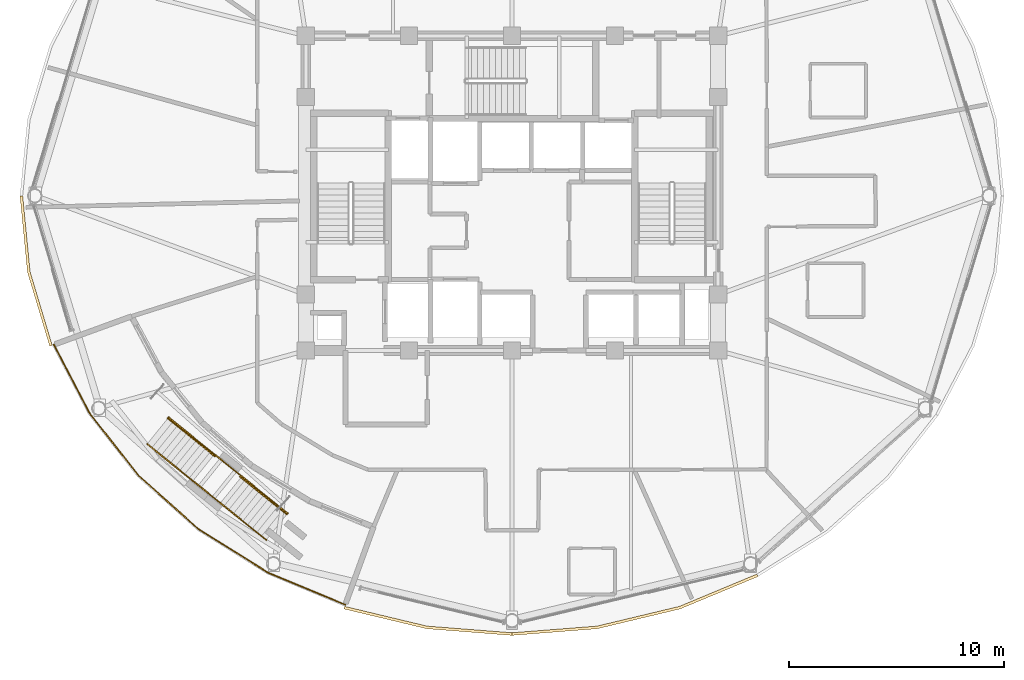
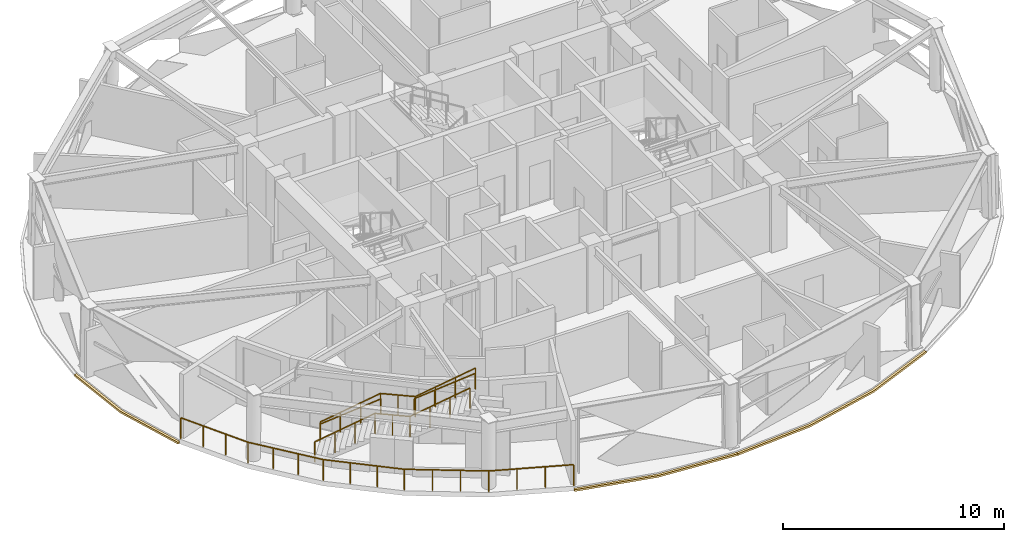
# One storey, part 14 of 17: 5 railings, 3 coverings.
"""IFC4 building model written with IfcOpenShell, lengths in metres."""

from ifc_helpers import new_model, si_unit, direction, frame, origin, origin_2d, place, context, subcontext, project, spatial, polyline, rectangle, outline, extrude, material, layer, layer_set, type_object, element, save


model = new_model("IFC4")

# Units and contexts
model_context = context("Model", 3, precision=1e-05, world=origin(), true_north=direction((0.0, 1.0)))
body_context = subcontext(model_context, "Body", "Model", "MODEL_VIEW")
ifc_project = project(units=[si_unit("LENGTHUNIT", "METRE"), si_unit("AREAUNIT", "SQUARE_METRE"), si_unit("VOLUMEUNIT", "CUBIC_METRE"), si_unit("PLANEANGLEUNIT", "RADIAN"), si_unit("MASSUNIT", "GRAM", prefix="KILO")], contexts=[model_context])

# Site, building, storey
site_placement = place(None, origin())
site = spatial("IfcSite", under=ifc_project, at=site_placement, CompositionType="ELEMENT")
building_placement = place(site_placement, origin())
building = spatial("IfcBuilding", under=site, at=building_placement, Name="Vantalir Tower", CompositionType="ELEMENT")
storey_placement = place(building_placement, frame((0.0, 0.0, 208.64990234375)))
storey = spatial("IfcBuildingStorey", under=building, at=storey_placement, Name="L52", CompositionType="ELEMENT", Elevation=208.64990234375)

# Coverings
ifc_material_1 = material(Name="Anodised champagne aluminium sill fascia", Category="aluminium")
ifc_layer = layer(ifc_material_1, 0.125)
ifc_layer_set = layer_set([ifc_layer], Name="Anodised champagne aluminium sill fascia")
covering_type = type_object("IfcCoveringType", Name="COV-SLAB-FASCIA-125", PredefinedType="CLADDING", material=ifc_layer_set)
covering_1_placement = place(storey_placement, frame((0.0, 0.0, -0.179931640625)))
element("IfcCovering", 1, at=covering_1_placement, inside=storey, type_object=covering_type, Name="L52 Perimeter Slab-Edge Sill Fascia 07", PredefinedType="CLADDING", context=body_context, shape_type="SweptSolid", body=[
    extrude(outline(polyline([(8.591064453125, 25.0), (8.93896484375, 21.446044921875), (9.972900390625, 18.0), (10.090087890625, 18.0419921875), (9.06201171875, 21.467041015625), (8.716064453125, 25.0), (8.591064453125, 25.0)])), origin(), (0.0, 0.0, 1.0), 0.10498046875),
])
covering_2_placement = place(storey_placement, frame((0.0, 0.0, -0.179931640625)))
element("IfcCovering", 2, at=covering_2_placement, inside=storey, type_object=covering_type, Name="L52 Perimeter Slab-Edge Sill Fascia 09", PredefinedType="CLADDING", context=body_context, shape_type="SweptSolid", body=[
    extrude(outline(polyline([(23.6650390625, 5.76611328125), (27.52197265625, 4.843017578125), (31.5, 4.531982421875), (31.5, 4.656982421875), (27.5439453125, 4.966064453125), (23.70703125, 5.884033203125), (23.6650390625, 5.76611328125)])), origin(), (0.0, 0.0, 1.0), 0.10498046875),
])
covering_3_placement = place(storey_placement, frame((0.0, 0.0, -0.179931640625)))
element("IfcCovering", 3, at=covering_3_placement, inside=storey, type_object=covering_type, Name="L52 Perimeter Slab-Edge Sill Fascia 10", PredefinedType="CLADDING", context=body_context, shape_type="SweptSolid", body=[
    extrude(outline(polyline([(31.5, 4.531982421875), (35.47802734375, 4.843017578125), (39.3349609375, 5.76611328125), (42.955078125, 7.27392578125), (42.89208984375, 7.382080078125), (39.29296875, 5.884033203125), (35.4560546875, 4.966064453125), (31.5, 4.656982421875), (31.5, 4.531982421875)])), origin(), (0.0, 0.0, 1.0), 0.10498046875),
])

# Railings
ifc_material_2 = material(Name="Laminated safety glass and champagne-silver balustrade", Category="glass")
railing_type_1 = type_object("IfcRailingType", Name="RAL-BALUSTRADE-1200", PredefinedType="BALUSTRADE", material=ifc_material_2)
railing_1_placement = place(storey_placement, frame((10.1650390625, 18.070068359375, 0.0)))
element("IfcRailing", 4, at=railing_1_placement, inside=storey, type_object=railing_type_1, Name="L52 SG3 Sky-Garden Perimeter Balustrade", PredefinedType="BALUSTRADE", context=body_context, shape_type="SweptSolid", body=[
    extrude(rectangle(XDim=0.048095703125, YDim=0.048095703125, at=origin_2d()), frame((0.0, 0.0, 1.17578125), z_axis=(0.463037072023, -0.886338913697, 0.0), x_axis=(0.886338913697, 0.463037072023, 0.0)), (0.0, 0.0, 1.0), 3.61279296875),
    extrude(rectangle(XDim=0.048095703125, YDim=0.048095703125, at=origin_2d()), frame((1.6728515625, -3.2021484375, 1.17578125), z_axis=(0.617331749931, -0.786702936646, 0.0), x_axis=(0.786702936646, 0.617331749931, 0.0)), (0.0, 0.0, 1.0), 3.67724609375),
    extrude(rectangle(XDim=0.048095703125, YDim=0.048095703125, at=origin_2d()), frame((3.94287109375, -6.094970703125, 1.17578125), z_axis=(0.746100502518, -0.665833342619, 0.0), x_axis=(0.665833342619, 0.746100502518, 0.0)), (0.0, 0.0, 1.0), 3.750244140625),
    extrude(rectangle(XDim=0.048095703125, YDim=0.048095703125, at=origin_2d()), frame((6.740966796875, -8.592041015625, 1.17578125), z_axis=(0.848009066905, -0.529981718973, 0.0), x_axis=(0.529981718973, 0.848009066905, 0.0)), (0.0, 0.0, 1.0), 3.822998046875),
    extrude(rectangle(XDim=0.048095703125, YDim=0.048095703125, at=origin_2d()), frame((9.98291015625, -10.6181640625, 1.17578125), z_axis=(0.92323486222, -0.384236111242, 0.0), x_axis=(0.384236111242, 0.92323486222, 0.0)), (0.0, 0.0, 1.0), 3.885498046875),
    extrude(rectangle(XDim=0.0419921875, YDim=0.0419921875, at=origin_2d()), origin(), (0.0, 0.0, 1.0), 1.15185546875),
    extrude(rectangle(XDim=0.0419921875, YDim=0.0419921875, at=origin_2d()), frame((0.5576171875, -1.0673828125, 0.0)), (0.0, 0.0, 1.0), 1.15185546875),
    extrude(rectangle(XDim=0.0419921875, YDim=0.0419921875, at=origin_2d()), frame((1.115234375, -2.134765625, 0.0)), (0.0, 0.0, 1.0), 1.15185546875),
    extrude(rectangle(XDim=0.0419921875, YDim=0.0419921875, at=origin_2d()), frame((1.6728515625, -3.2021484375, 0.0)), (0.0, 0.0, 1.0), 1.15185546875),
    extrude(rectangle(XDim=0.0419921875, YDim=0.0419921875, at=origin_2d()), frame((2.429443359375, -4.16650390625, 0.0)), (0.0, 0.0, 1.0), 1.15185546875),
    extrude(rectangle(XDim=0.0419921875, YDim=0.0419921875, at=origin_2d()), frame((3.186279296875, -5.130615234375, 0.0)), (0.0, 0.0, 1.0), 1.15185546875),
    extrude(rectangle(XDim=0.0419921875, YDim=0.0419921875, at=origin_2d()), frame((3.94287109375, -6.094970703125, 0.0)), (0.0, 0.0, 1.0), 1.15185546875),
    extrude(rectangle(XDim=0.0419921875, YDim=0.0419921875, at=origin_2d()), frame((4.87548828125, -6.92724609375, 0.0)), (0.0, 0.0, 1.0), 1.15185546875),
    extrude(rectangle(XDim=0.0419921875, YDim=0.0419921875, at=origin_2d()), frame((5.808349609375, -7.759765625, 0.0)), (0.0, 0.0, 1.0), 1.15185546875),
    extrude(rectangle(XDim=0.0419921875, YDim=0.0419921875, at=origin_2d()), frame((6.740966796875, -8.592041015625, 0.0)), (0.0, 0.0, 1.0), 1.15185546875),
    extrude(rectangle(XDim=0.0419921875, YDim=0.0419921875, at=origin_2d()), frame((7.821533203125, -9.267333984375, 0.0)), (0.0, 0.0, 1.0), 1.15185546875),
    extrude(rectangle(XDim=0.0419921875, YDim=0.0419921875, at=origin_2d()), frame((8.90234375, -9.94287109375, 0.0)), (0.0, 0.0, 1.0), 1.15185546875),
    extrude(rectangle(XDim=0.0419921875, YDim=0.0419921875, at=origin_2d()), frame((9.98291015625, -10.6181640625, 0.0)), (0.0, 0.0, 1.0), 1.15185546875),
    extrude(rectangle(XDim=0.0419921875, YDim=0.0419921875, at=origin_2d()), frame((11.1787109375, -11.11572265625, 0.0)), (0.0, 0.0, 1.0), 1.15185546875),
    extrude(rectangle(XDim=0.0419921875, YDim=0.0419921875, at=origin_2d()), frame((12.374267578125, -11.613525390625, 0.0)), (0.0, 0.0, 1.0), 1.15185546875),
    extrude(rectangle(XDim=0.0419921875, YDim=0.0419921875, at=origin_2d()), frame((13.570068359375, -12.111083984375, 0.0)), (0.0, 0.0, 1.0), 1.15185546875),
])
railing_2_placement = place(storey_placement, frame((14.511962890625, 13.445068359375, 0.0)))
element("IfcRailing", 5, at=railing_2_placement, inside=storey, type_object=railing_type_1, Name="Sky Garden Stair SG3 Balustrade OUT", PredefinedType="BALUSTRADE", context=body_context, shape_type="SweptSolid", body=[
    extrude(rectangle(XDim=0.048095703125, YDim=0.048095703125, at=origin_2d()), frame((0.0, 0.0, 1.1259765625), z_axis=(0.644016281472, -0.519120145086, 0.56192286318), x_axis=(0.627570900023, 0.778559416772, 0.0)), (0.0, 0.0, 1.0), 3.336669921875),
    extrude(rectangle(XDim=0.048095703125, YDim=0.048095703125, at=origin_2d()), frame((2.14892578125, -1.732177734375, 3.0009765625), z_axis=(0.778720780811, -0.627370660402, 0.0), x_axis=(0.627370660402, 0.778720780811, 0.0)), (0.0, 0.0, 1.0), 1.60009765625),
    extrude(rectangle(XDim=0.048095703125, YDim=0.048095703125, at=origin_2d()), frame((3.39501953125, -2.736083984375, 3.0009765625), z_axis=(0.643869414761, -0.519164540613, 0.562050137004), x_axis=(0.627690188314, 0.778463247362, 0.0)), (0.0, 0.0, 1.0), 3.3359375),
    extrude(rectangle(XDim=0.0419921875, YDim=0.0419921875, at=origin_2d()), origin(), (0.0, 0.0, 1.0), 1.101806640625),
    extrude(rectangle(XDim=0.0419921875, YDim=0.0419921875, at=origin_2d()), frame((0.71630859375, -0.577392578125, 0.625)), (0.0, 0.0, 1.0), 1.101806640625),
    extrude(rectangle(XDim=0.0419921875, YDim=0.0419921875, at=origin_2d()), frame((1.4326171875, -1.15478515625, 1.25)), (0.0, 0.0, 1.0), 1.101806640625),
    extrude(rectangle(XDim=0.0419921875, YDim=0.0419921875, at=origin_2d()), frame((2.14892578125, -1.732177734375, 1.875)), (0.0, 0.0, 1.0), 1.101806640625),
    extrude(rectangle(XDim=0.0419921875, YDim=0.0419921875, at=origin_2d()), frame((2.77197265625, -2.234130859375, 1.875)), (0.0, 0.0, 1.0), 1.101806640625),
    extrude(rectangle(XDim=0.0419921875, YDim=0.0419921875, at=origin_2d()), frame((3.39501953125, -2.736083984375, 1.875)), (0.0, 0.0, 1.0), 1.101806640625),
    extrude(rectangle(XDim=0.0419921875, YDim=0.0419921875, at=origin_2d()), frame((4.111083984375, -3.3134765625, 2.5)), (0.0, 0.0, 1.0), 1.101806640625),
    extrude(rectangle(XDim=0.0419921875, YDim=0.0419921875, at=origin_2d()), frame((4.826904296875, -3.890625, 3.125)), (0.0, 0.0, 1.0), 1.101806640625),
    extrude(rectangle(XDim=0.0419921875, YDim=0.0419921875, at=origin_2d()), frame((5.54296875, -4.468017578125, 3.75)), (0.0, 0.0, 1.0), 1.101806640625),
])
railing_3_placement = place(storey_placement, frame((15.510009765625, 14.68310546875, 0.0)))
element("IfcRailing", 6, at=railing_3_placement, inside=storey, type_object=railing_type_1, Name="Sky Garden Stair SG3 Balustrade IN", PredefinedType="BALUSTRADE", context=body_context, shape_type="SweptSolid", body=[
    extrude(rectangle(XDim=0.048095703125, YDim=0.048095703125, at=origin_2d()), frame((0.0, 0.0, 1.1259765625), z_axis=(0.644016281472, -0.519120145086, 0.56192286318), x_axis=(0.627570900023, 0.778559416772, 0.0)), (0.0, 0.0, 1.0), 3.336669921875),
    extrude(rectangle(XDim=0.048095703125, YDim=0.048095703125, at=origin_2d()), frame((2.14892578125, -1.732177734375, 3.0009765625), z_axis=(0.778720780811, -0.627370660402, 0.0), x_axis=(0.627370660402, 0.778720780811, 0.0)), (0.0, 0.0, 1.0), 1.60009765625),
    extrude(rectangle(XDim=0.048095703125, YDim=0.048095703125, at=origin_2d()), frame((3.39501953125, -2.736083984375, 3.0009765625), z_axis=(0.643869414761, -0.519164540613, 0.562050137004), x_axis=(0.627690188314, 0.778463247362, 0.0)), (0.0, 0.0, 1.0), 3.3359375),
    extrude(rectangle(XDim=0.0419921875, YDim=0.0419921875, at=origin_2d()), origin(), (0.0, 0.0, 1.0), 1.101806640625),
    extrude(rectangle(XDim=0.0419921875, YDim=0.0419921875, at=origin_2d()), frame((0.71630859375, -0.577392578125, 0.625)), (0.0, 0.0, 1.0), 1.101806640625),
    extrude(rectangle(XDim=0.0419921875, YDim=0.0419921875, at=origin_2d()), frame((1.4326171875, -1.15478515625, 1.25)), (0.0, 0.0, 1.0), 1.101806640625),
    extrude(rectangle(XDim=0.0419921875, YDim=0.0419921875, at=origin_2d()), frame((2.14892578125, -1.732177734375, 1.875)), (0.0, 0.0, 1.0), 1.101806640625),
    extrude(rectangle(XDim=0.0419921875, YDim=0.0419921875, at=origin_2d()), frame((2.77197265625, -2.234130859375, 1.875)), (0.0, 0.0, 1.0), 1.101806640625),
    extrude(rectangle(XDim=0.0419921875, YDim=0.0419921875, at=origin_2d()), frame((3.39501953125, -2.736083984375, 1.875)), (0.0, 0.0, 1.0), 1.101806640625),
    extrude(rectangle(XDim=0.0419921875, YDim=0.0419921875, at=origin_2d()), frame((4.111083984375, -3.3134765625, 2.5)), (0.0, 0.0, 1.0), 1.101806640625),
    extrude(rectangle(XDim=0.0419921875, YDim=0.0419921875, at=origin_2d()), frame((4.826904296875, -3.890625, 3.125)), (0.0, 0.0, 1.0), 1.101806640625),
    extrude(rectangle(XDim=0.0419921875, YDim=0.0419921875, at=origin_2d()), frame((5.54296875, -4.468017578125, 3.75)), (0.0, 0.0, 1.0), 1.101806640625),
])
ifc_material_3 = material(Name="Brushed stainless steel tubular handrail", Category="steel")
railing_type_2 = type_object("IfcRailingType", Name="RAL-HANDRAIL-900", PredefinedType="HANDRAIL", material=ifc_material_3)
railing_4_placement = place(storey_placement, frame((15.471923828125, 14.635986328125, 0.170166015625)))
element("IfcRailing", 7, at=railing_4_placement, inside=storey, type_object=railing_type_2, Name="Sky Garden Stair SG3 Handrail F1", PredefinedType="HANDRAIL", context=body_context, shape_type="SweptSolid", body=[
    extrude(rectangle(XDim=0.048095703125, YDim=0.048095703125, at=origin_2d()), frame((0.0, 0.0, 0.8759765625), z_axis=(0.665041551267, -0.535980296133, 0.520043130179), x_axis=(0.62750871634, 0.778609536878, 0.0)), (0.0, 0.0, 1.0), 3.2783203125),
    extrude(rectangle(XDim=0.0419921875, YDim=0.0419921875, at=origin_2d()), origin(), (0.0, 0.0, 1.0), 0.851806640625),
    extrude(rectangle(XDim=0.0419921875, YDim=0.0419921875, at=origin_2d()), frame((0.726806640625, -0.585693359375, 0.568359375)), (0.0, 0.0, 1.0), 0.851806640625),
    extrude(rectangle(XDim=0.0419921875, YDim=0.0419921875, at=origin_2d()), frame((1.453369140625, -1.17138671875, 1.136474609375)), (0.0, 0.0, 1.0), 0.851806640625),
    extrude(rectangle(XDim=0.0419921875, YDim=0.0419921875, at=origin_2d()), frame((2.18017578125, -1.757080078125, 1.704833984375)), (0.0, 0.0, 1.0), 0.851806640625),
])
railing_5_placement = place(storey_placement, frame((18.8349609375, 11.925048828125, 2.045166015625)))
element("IfcRailing", 8, at=railing_5_placement, inside=storey, type_object=railing_type_2, Name="Sky Garden Stair SG3 Handrail F2", PredefinedType="HANDRAIL", context=body_context, shape_type="SweptSolid", body=[
    extrude(rectangle(XDim=0.048095703125, YDim=0.048095703125, at=origin_2d()), frame((0.0, 0.0, 0.8759765625), z_axis=(0.665000013265, -0.536006842364, 0.520068887068), x_axis=(0.62755131811, 0.778575200696, 0.0)), (0.0, 0.0, 1.0), 3.278076171875),
    extrude(rectangle(XDim=0.0419921875, YDim=0.0419921875, at=origin_2d()), origin(), (0.0, 0.0, 1.0), 0.851806640625),
    extrude(rectangle(XDim=0.0419921875, YDim=0.0419921875, at=origin_2d()), frame((0.7265625, -0.585693359375, 0.568359375)), (0.0, 0.0, 1.0), 0.851806640625),
    extrude(rectangle(XDim=0.0419921875, YDim=0.0419921875, at=origin_2d()), frame((1.453369140625, -1.17138671875, 1.136474609375)), (0.0, 0.0, 1.0), 0.851806640625),
    extrude(rectangle(XDim=0.0419921875, YDim=0.0419921875, at=origin_2d()), frame((2.179931640625, -1.757080078125, 1.704833984375)), (0.0, 0.0, 1.0), 0.851806640625),
])

save(model, "model.ifc")
